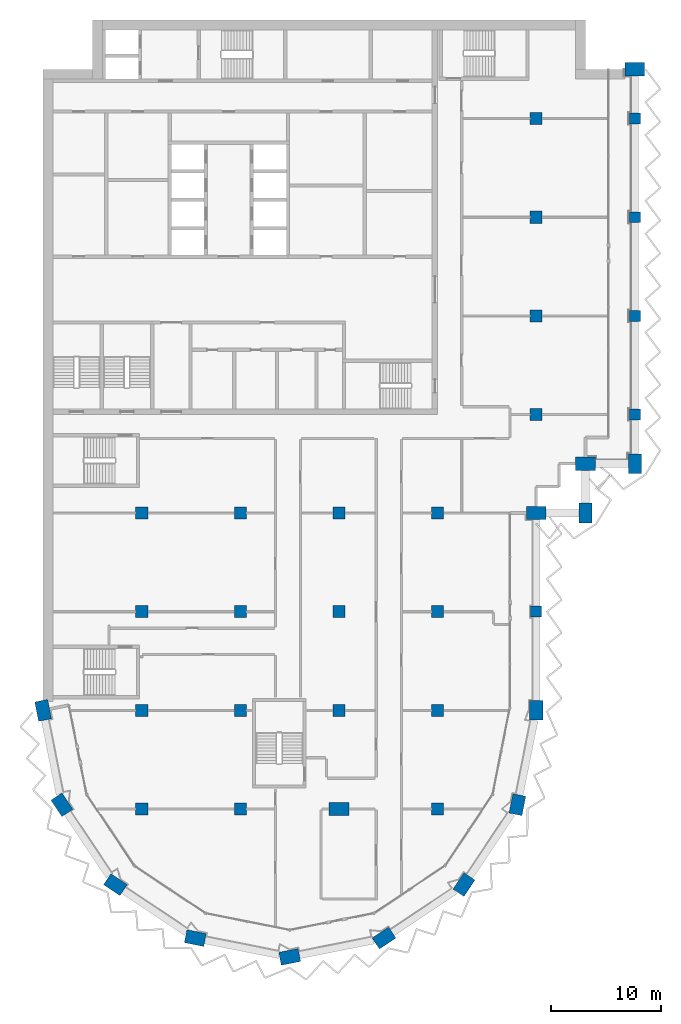
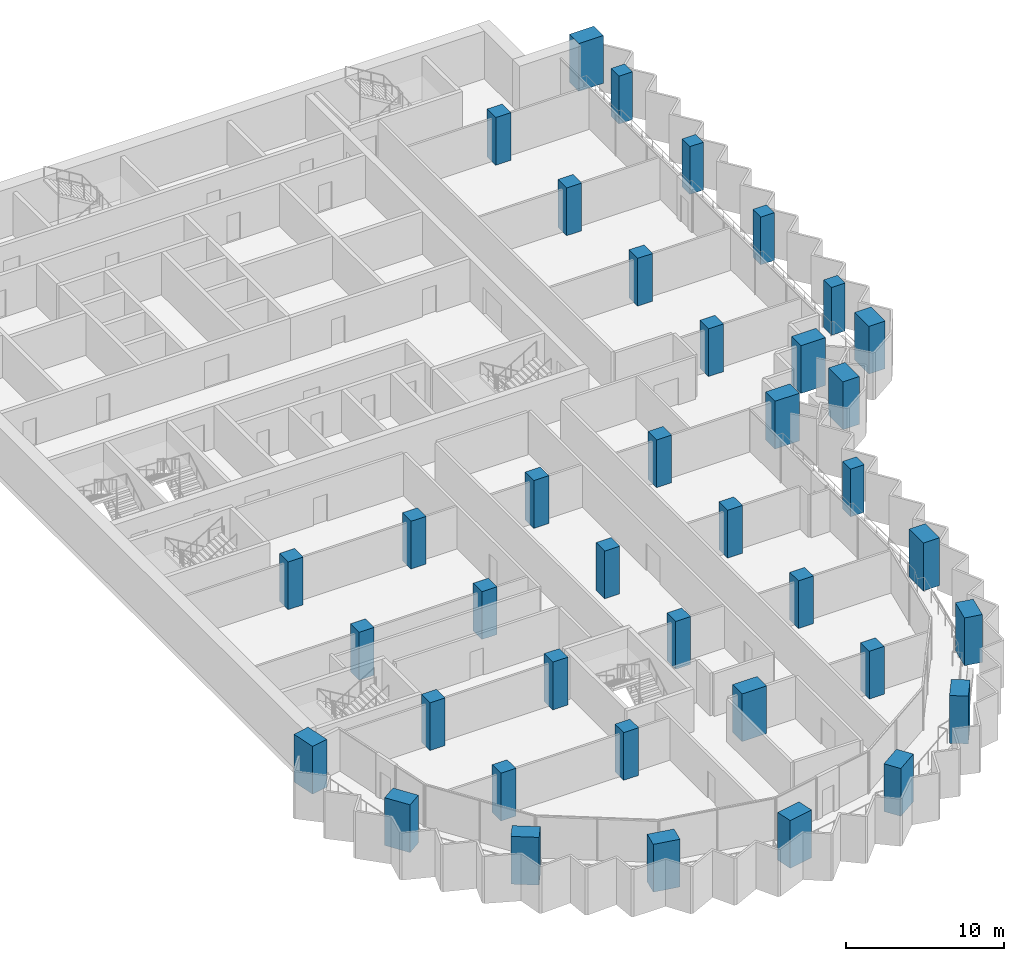
# One storey, part 1 of 17: 39 columns.
"""IFC4 building model written with IfcOpenShell, lengths in metres."""

from ifc_helpers import new_model, si_unit, direction, frame, origin, origin_2d, place, context, subcontext, project, spatial, rectangle, extrude, material, material_profile, profile_set, type_object, element, save


model = new_model("IFC4")

# Units and contexts
model_context = context("Model", 3, precision=1e-05, world=origin(), true_north=direction((0.0, 1.0)))
body_context = subcontext(model_context, "Body", "Model", "MODEL_VIEW")
ifc_project = project(units=[si_unit("LENGTHUNIT", "METRE"), si_unit("AREAUNIT", "SQUARE_METRE"), si_unit("VOLUMEUNIT", "CUBIC_METRE"), si_unit("PLANEANGLEUNIT", "RADIAN"), si_unit("MASSUNIT", "GRAM", prefix="KILO")], contexts=[model_context])

# Site, building, storey
site_placement = place(None, origin())
site = spatial("IfcSite", under=ifc_project, at=site_placement, CompositionType="ELEMENT")
building_placement = place(site_placement, origin())
building = spatial("IfcBuilding", under=site, at=building_placement, Name="Hunhe Ridgeline Campus", CompositionType="ELEMENT")
storey_placement = place(building_placement, frame((0.0, 0.0, 208.699951171875)))
storey = spatial("IfcBuildingStorey", under=building, at=storey_placement, Name="L53", CompositionType="ELEMENT", Elevation=208.699951171875)

# Columns
ifc_material = material(Name="Concrete C60", Category="concrete")
ifc_material_profile_1 = material_profile(ifc_material, rectangle(XDim=1.800048828125, YDim=1.199951171875, at=origin_2d()))
ifc_profile_set_1 = profile_set([ifc_material_profile_1], Name="Concrete C60")
column_type_1 = type_object("IfcColumnType", Name="Megacolumn 1800x1200 Concrete C60", PredefinedType="COLUMN", material=ifc_profile_set_1)
for number, where, z_axis, x_axis, name in (
    (1, (22.5, 13.5, 0.0), (0.0, 0.0, 1.0), (0.980785280403, 0.195090322016, 0.0), "Column C11 R6 L53"),
    (2, (13.8896484375, 15.212646484375, 0.0), (0.0, 0.0, 1.0), (-0.980785280403, 0.195090322016, 0.0), "Column C11 R7 L53"),
    (3, (31.1103515625, 15.212646484375, 0.0), (0.0, 0.0, 1.0), (0.831469612303, 0.55557023302, 0.0), "Column C11 R8 L53"),
    (4, (6.590087890625, 20.090087890625, 0.0), (0.0, 0.0, 1.0), (-0.831469612303, 0.55557023302, 0.0), "Column C11 R11 L53"),
    (5, (38.409912109375, 20.090087890625, 0.0), (0.0, 0.0, 1.0), (0.55557023302, 0.831469612303, 0.0), "Column C11 R12 L53"),
    (6, (1.712646484375, 27.3896484375, 0.0), (0.0, 0.0, 1.0), (-0.55557023302, 0.831469612303, 0.0), "Column C11 R16 L53"),
    (7, (43.287353515625, 27.3896484375, 0.0), (0.0, 0.0, 1.0), (0.195090322016, 0.980785280403, 0.0), "Column C11 R17 L53"),
    (8, (0.0, 36.0, 0.0), (0.0, 0.0, 1.0), (-0.195090322016, 0.980785280403, 0.0), "Column C11 E1 L53"),
    (9, (45.0, 36.0, 0.0), (0.0, 0.0, 1.0), (0.0, 1.0, 0.0), "Column C11 E6 L53"),
    (10, (45.0, 54.0, 0.0), (0.0, 0.0, 1.0), (1.0, 0.0, 0.0), "Column C11 G6 L53"),
    (11, (49.5, 54.0, 0.0), (0.0, 0.0, 1.0), (0.0, 1.0, 0.0), "Column C11 R29 L53"),
    (12, (49.5, 58.5, 0.0), (0.0, 0.0, 1.0), (1.0, 0.0, 0.0), "Column C11 R33 L53"),
    (13, (54.0, 58.5, 0.0), (0.0, 0.0, 1.0), (0.0, 1.0, 0.0), "Column C11 R34 L53"),
    (14, (54.0, 94.5, 0.0), (0.0, 0.0, 1.0), (1.0, 0.0, 0.0), "Column C11 R41 L53"),
    (15, (27.0, 27.0, 0.0), (0.0, 0.0, 1.0), (1.0, 0.0, 0.0), "Column C11 D4 L53"),
):
    element("IfcColumn", number, at=place(storey_placement, frame(where, z_axis=z_axis, x_axis=x_axis)), inside=storey, type_object=column_type_1, Name=name, PredefinedType="COLUMN", context=body_context, shape_type="SweptSolid", body=[
        extrude(rectangle(XDim=1.800048828125, YDim=1.199951171875, at=origin_2d()), origin(), (0.0, 0.0, 1.0), 3.699951171875),
    ])
ifc_material_profile_2 = material_profile(ifc_material, rectangle(XDim=1.0, YDim=1.0, at=origin_2d()))
ifc_profile_set_2 = profile_set([ifc_material_profile_2], Name="Concrete C60")
column_type_2 = type_object("IfcColumnType", Name="RC column 1000x1000 Concrete C60", PredefinedType="COLUMN", material=ifc_profile_set_2)
for number, where, z_axis, x_axis, name in (
    (16, (45.0, 45.0, 0.0), (0.0, 0.0, 1.0), (1.0, 0.0, 0.0), "Column C12 F6 L53"),
    (17, (54.0, 63.0, 0.0), (0.0, 0.0, 1.0), (1.0, 0.0, 0.0), "Column C12 H7 L53"),
    (18, (54.0, 72.0, 0.0), (0.0, 0.0, 1.0), (1.0, 0.0, 0.0), "Column C12 I7 L53"),
    (19, (54.0, 81.0, 0.0), (0.0, 0.0, 1.0), (1.0, 0.0, 0.0), "Column C12 J7 L53"),
    (20, (54.0, 90.0, 0.0), (0.0, 0.0, 1.0), (1.0, 0.0, 0.0), "Column C12 K7 L53"),
):
    element("IfcColumn", number, at=place(storey_placement, frame(where, z_axis=z_axis, x_axis=x_axis)), inside=storey, type_object=column_type_2, Name=name, PredefinedType="COLUMN", context=body_context, shape_type="SweptSolid", body=[
        extrude(rectangle(XDim=1.0, YDim=1.0, at=origin_2d()), origin(), (0.0, 0.0, 1.0), 3.699951171875),
    ])
ifc_material_profile_3 = material_profile(ifc_material, rectangle(XDim=1.10009765625, YDim=1.10009765625, at=origin_2d()))
ifc_profile_set_3 = profile_set([ifc_material_profile_3], Name="Concrete C60")
column_type_3 = type_object("IfcColumnType", Name="RC column 1100x1100 Concrete C60", PredefinedType="COLUMN", material=ifc_profile_set_3)
for number, where, z_axis, x_axis, name in (
    (21, (9.0, 27.0, 0.0), (0.0, 0.0, 1.0), (1.0, 0.0, 0.0), "Column C13 D2 L53"),
    (22, (9.0, 36.0, 0.0), (0.0, 0.0, 1.0), (1.0, 0.0, 0.0), "Column C13 E2 L53"),
    (23, (9.0, 45.0, 0.0), (0.0, 0.0, 1.0), (1.0, 0.0, 0.0), "Column C13 F2 L53"),
    (24, (9.0, 54.0, 0.0), (0.0, 0.0, 1.0), (1.0, 0.0, 0.0), "Column C13 G2 L53"),
    (25, (18.0, 27.0, 0.0), (0.0, 0.0, 1.0), (1.0, 0.0, 0.0), "Column C13 D3 L53"),
    (26, (18.0, 36.0, 0.0), (0.0, 0.0, 1.0), (1.0, 0.0, 0.0), "Column C13 E3 L53"),
    (27, (18.0, 45.0, 0.0), (0.0, 0.0, 1.0), (1.0, 0.0, 0.0), "Column C13 F3 L53"),
    (28, (18.0, 54.0, 0.0), (0.0, 0.0, 1.0), (1.0, 0.0, 0.0), "Column C13 G3 L53"),
    (29, (27.0, 36.0, 0.0), (0.0, 0.0, 1.0), (1.0, 0.0, 0.0), "Column C13 E4 L53"),
    (30, (27.0, 45.0, 0.0), (0.0, 0.0, 1.0), (1.0, 0.0, 0.0), "Column C13 F4 L53"),
    (31, (27.0, 54.0, 0.0), (0.0, 0.0, 1.0), (1.0, 0.0, 0.0), "Column C13 G4 L53"),
    (32, (36.0, 27.0, 0.0), (0.0, 0.0, 1.0), (1.0, 0.0, 0.0), "Column C13 D5 L53"),
    (33, (36.0, 36.0, 0.0), (0.0, 0.0, 1.0), (1.0, 0.0, 0.0), "Column C13 E5 L53"),
    (34, (36.0, 45.0, 0.0), (0.0, 0.0, 1.0), (1.0, 0.0, 0.0), "Column C13 F5 L53"),
    (35, (36.0, 54.0, 0.0), (0.0, 0.0, 1.0), (1.0, 0.0, 0.0), "Column C13 G5 L53"),
    (36, (45.0, 63.0, 0.0), (0.0, 0.0, 1.0), (1.0, 0.0, 0.0), "Column C13 H6 L53"),
    (37, (45.0, 72.0, 0.0), (0.0, 0.0, 1.0), (1.0, 0.0, 0.0), "Column C13 I6 L53"),
    (38, (45.0, 81.0, 0.0), (0.0, 0.0, 1.0), (1.0, 0.0, 0.0), "Column C13 J6 L53"),
    (39, (45.0, 90.0, 0.0), (0.0, 0.0, 1.0), (1.0, 0.0, 0.0), "Column C13 K6 L53"),
):
    element("IfcColumn", number, at=place(storey_placement, frame(where, z_axis=z_axis, x_axis=x_axis)), inside=storey, type_object=column_type_3, Name=name, PredefinedType="COLUMN", context=body_context, shape_type="SweptSolid", body=[
        extrude(rectangle(XDim=1.10009765625, YDim=1.10009765625, at=origin_2d()), origin(), (0.0, 0.0, 1.0), 3.699951171875),
    ])

save(model, "model.ifc")
